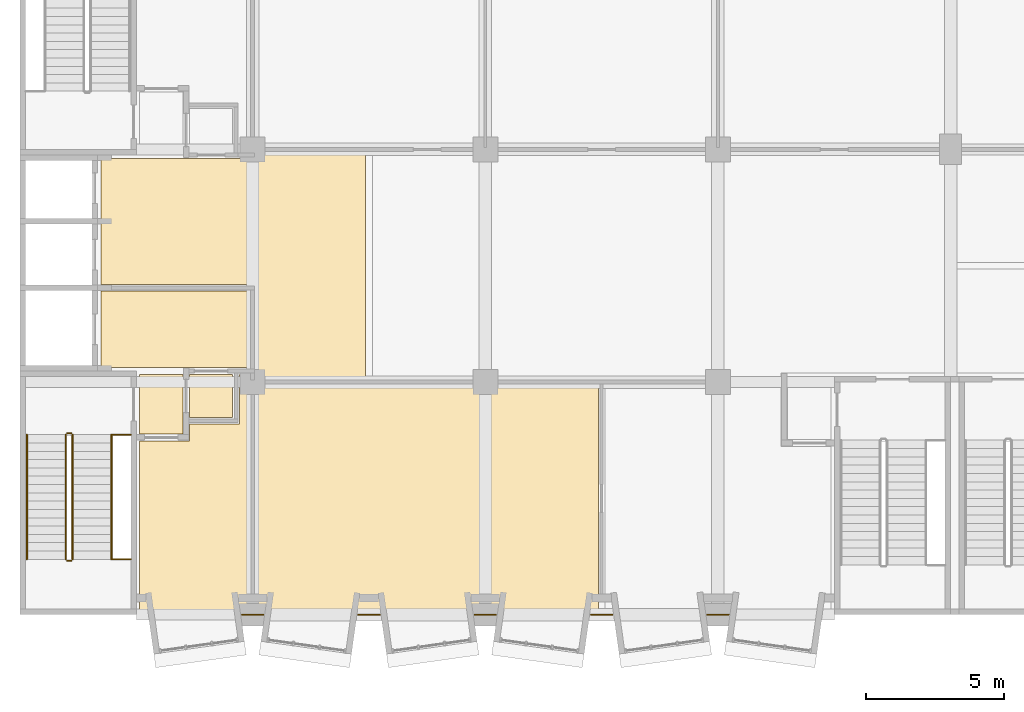
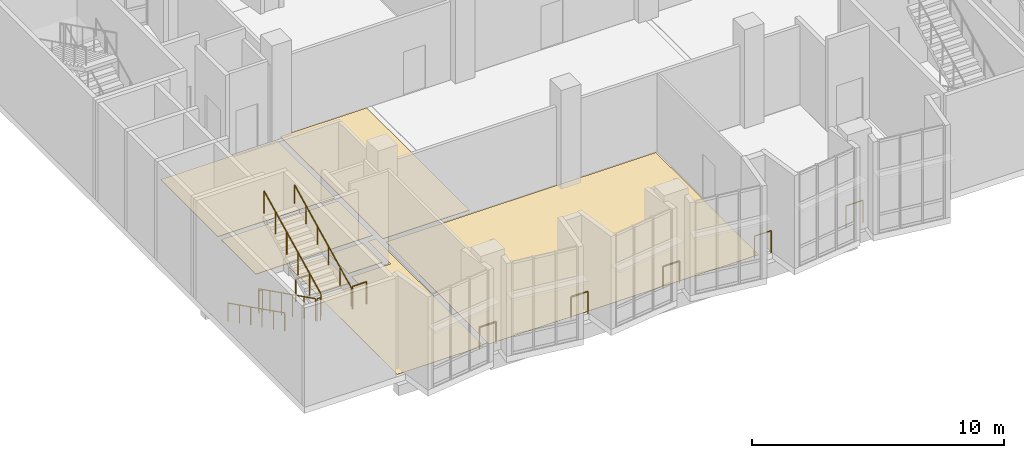
# One storey, part 66 of 91: 13 railings, 7 coverings.
"""IFC4 building model written with IfcOpenShell, lengths in metres."""

from ifc_helpers import new_model, si_unit, direction, frame, origin, origin_2d, place, context, subcontext, project, spatial, polyline, circle, outline, extrude, material, layer, layer_set, type_object, element, save


model = new_model("IFC4")

# Units and contexts
model_context = context("Model", 3, precision=1e-05, world=origin(), true_north=direction((0.0, 1.0)))
body_context = subcontext(model_context, "Body", "Model", "MODEL_VIEW")
ifc_project = project(units=[si_unit("LENGTHUNIT", "METRE"), si_unit("AREAUNIT", "SQUARE_METRE"), si_unit("VOLUMEUNIT", "CUBIC_METRE"), si_unit("PLANEANGLEUNIT", "RADIAN"), si_unit("MASSUNIT", "GRAM", prefix="KILO")], contexts=[model_context])

# Site, building, storey
site_placement = place(None, origin())
site = spatial("IfcSite", under=ifc_project, at=site_placement, CompositionType="ELEMENT")
building_placement = place(site_placement, origin())
building = spatial("IfcBuilding", under=site, at=building_placement, Name="Kiln Court Media Centre", CompositionType="ELEMENT")
storey_placement = place(building_placement, frame((0.0, 0.0, 5.39990234375)))
storey = spatial("IfcBuildingStorey", under=building, at=storey_placement, Name="L01", CompositionType="ELEMENT", Elevation=5.39990234375)

# Coverings
ifc_material_1 = material(Name="Carpet tile")
ifc_layer_1 = layer(ifc_material_1, 0.014892578125)
ifc_layer_set_1 = layer_set([ifc_layer_1], Name="Carpet tile floor finish 15")
covering_type_1 = type_object("IfcCoveringType", Name="Carpet tile floor finish 15", PredefinedType="FLOORING", material=ifc_layer_set_1)
covering_1_placement = place(storey_placement, origin())
element("IfcCovering", 1, at=covering_1_placement, inside=storey, type_object=covering_type_1, Name="Catalogue and Lending Hall floor finish", PredefinedType="FLOORING", context=body_context, shape_type="SweptSolid", body=[
    extrude(outline(polyline([(8.52001953125, 0.1201171875), (20.8798828125, 0.1201171875), (20.8798828125, 8.280029296875), (8.52001953125, 8.280029296875), (8.52001953125, 0.1201171875)])), origin(), (0.0, 0.0, 1.0), 0.01513671875),
])
ifc_material_2 = material(Name="Ceramic tile")
ifc_layer_2 = layer(ifc_material_2, 0.011962890625)
ifc_layer_set_2 = layer_set([ifc_layer_2], Name="Ceramic tile floor finish 12")
covering_type_2 = type_object("IfcCoveringType", Name="Ceramic tile floor finish 12", PredefinedType="FLOORING", material=ifc_layer_set_2)
covering_2_placement = place(storey_placement, origin())
element("IfcCovering", 2, at=covering_2_placement, inside=storey, type_object=covering_type_2, Name="Toilets and Accessible WC floor finish", PredefinedType="FLOORING", context=body_context, shape_type="SweptSolid", body=[
    extrude(outline(polyline([(8.280029296875, 8.679931640625), (7.919921875, 8.679931640625), (7.919921875, 6.8798828125), (6.1201171875, 6.8798828125), (6.1201171875, 6.280029296875), (4.320068359375, 6.280029296875), (4.320068359375, 0.1201171875), (8.280029296875, 0.1201171875), (8.280029296875, 8.679931640625)])), origin(), (0.0, 0.0, 1.0), 0.01220703125),
])
ifc_material_3 = material(Name="Terrazzo")
ifc_layer_3 = layer(ifc_material_3, 0.02490234375)
ifc_layer_set_3 = layer_set([ifc_layer_3], Name="Polished terrazzo floor finish 25")
covering_type_3 = type_object("IfcCoveringType", Name="Polished terrazzo floor finish 25", PredefinedType="FLOORING", material=ifc_layer_set_3)
covering_3_placement = place(storey_placement, origin())
element("IfcCovering", 3, at=covering_3_placement, inside=storey, type_object=covering_type_3, Name="Stair 1 Vestibule floor finish", PredefinedType="FLOORING", context=body_context, shape_type="SweptSolid", body=[
    extrude(outline(polyline([(4.320068359375, 6.52001953125), (5.8798828125, 6.52001953125), (5.8798828125, 8.679931640625), (4.320068359375, 8.679931640625), (4.320068359375, 6.52001953125)])), origin(), (0.0, 0.0, 1.0), 0.025146484375),
])
covering_4_placement = place(storey_placement, origin())
element("IfcCovering", 4, at=covering_4_placement, inside=storey, type_object=covering_type_3, Name="Wheelchair Refuge floor finish", PredefinedType="FLOORING", context=body_context, shape_type="SweptSolid", body=[
    extrude(outline(polyline([(6.1201171875, 7.1201171875), (7.679931640625, 7.1201171875), (7.679931640625, 8.679931640625), (6.1201171875, 8.679931640625), (6.1201171875, 7.1201171875)])), origin(), (0.0, 0.0, 1.0), 0.025146484375),
])
covering_5_placement = place(storey_placement, origin())
element("IfcCovering", 5, at=covering_5_placement, inside=storey, type_object=covering_type_3, Name="Issue Desk Lobby floor finish", PredefinedType="FLOORING", context=body_context, shape_type="SweptSolid", body=[
    extrude(outline(polyline([(8.52001953125, 8.52001953125), (12.47998046875, 8.52001953125), (12.47998046875, 16.679931640625), (8.52001953125, 16.679931640625), (8.52001953125, 8.52001953125)])), origin(), (0.0, 0.0, 1.0), 0.025146484375),
])
covering_6_placement = place(storey_placement, origin())
element("IfcCovering", 6, at=covering_6_placement, inside=storey, type_object=covering_type_3, Name="Fire-fighting Lift Lobby floor finish", PredefinedType="FLOORING", context=body_context, shape_type="SweptSolid", body=[
    extrude(outline(polyline([(2.919921875, 8.919921875), (8.280029296875, 8.919921875), (8.280029296875, 11.679931640625), (2.919921875, 11.679931640625), (2.919921875, 8.919921875)])), origin(), (0.0, 0.0, 1.0), 0.025146484375),
])
covering_7_placement = place(storey_placement, origin())
element("IfcCovering", 7, at=covering_7_placement, inside=storey, type_object=covering_type_3, Name="Passenger Lift Lobby floor finish", PredefinedType="FLOORING", context=body_context, shape_type="SweptSolid", body=[
    extrude(outline(polyline([(2.919921875, 11.919921875), (8.280029296875, 11.919921875), (8.280029296875, 16.47998046875), (2.919921875, 16.47998046875), (2.919921875, 11.919921875)])), origin(), (0.0, 0.0, 1.0), 0.025146484375),
])

# Railings
ifc_material_4 = material(Name="Steel S275", Category="steel")
railing_type_1 = type_object("IfcRailingType", Name="Steel S275 balustrade guard 1100", PredefinedType="GUARDRAIL", material=ifc_material_4)
for number, where, name in (
    (8, (25.582275390625, 0.0, 0.0), "L01 slab notch guard"),
    (9, (21.38232421875, 0.0, 0.0), "L01 slab notch guard"),
    (10, (17.182373046875, 0.0, 0.0), "L01 slab notch guard"),
    (11, (12.982421875, 0.0, 0.0), "L01 slab notch guard"),
    (12, (8.7822265625, 0.0, 0.0), "L01 slab notch guard"),
):
    element("IfcRailing", number, at=place(storey_placement, frame(where)), inside=storey, type_object=railing_type_1, Name=name, PredefinedType="GUARDRAIL", context=body_context, shape_type="SweptSolid", body=[
        extrude(circle(Radius=0.02392578125, at=origin_2d()), frame((0.0, 0.0, 1.076171875), z_axis=(-1.0, 0.0, 0.0), x_axis=(0.0, -1.0, 0.0)), (0.0, 0.0, 1.0), 0.7646484375),
        extrude(circle(Radius=0.02099609375, at=origin_2d()), origin(), (0.0, 0.0, 1.0), 1.052001953125),
        extrude(circle(Radius=0.02099609375, at=origin_2d()), frame((-0.7646484375, 0.0, 0.0)), (0.0, 0.0, 1.0), 1.052001953125),
    ])
ifc_material_5 = material(Name="Steel S275", Category="steel")
railing_type_2 = type_object("IfcRailingType", Name="Steel S275 stair guard 1100", PredefinedType="GUARDRAIL", material=ifc_material_5)
railing_1_placement = place(storey_placement, frame((1.64990234375, 6.5, 0.150146484375)))
element("IfcRailing", 13, at=railing_1_placement, inside=storey, type_object=railing_type_2, Name="ST-01 stair guard", PredefinedType="GUARDRAIL", context=body_context, shape_type="SweptSolid", body=[
    extrude(circle(Radius=0.02392578125, at=origin_2d()), frame((0.0, 0.0, 1.076171875), z_axis=(0.0, -0.894427191, 0.4472135955), x_axis=(1.0, 0.0, 0.0)), (0.0, 0.0, 1.0), 5.03125),
    extrude(circle(Radius=0.02099609375, at=origin_2d()), origin(), (0.0, 0.0, 1.0), 1.052001953125),
    extrude(circle(Radius=0.02099609375, at=origin_2d()), frame((0.0, -0.89990234375, 0.449951171875)), (0.0, 0.0, 1.0), 1.052001953125),
    extrude(circle(Radius=0.02099609375, at=origin_2d()), frame((0.0, -1.800048828125, 0.89990234375)), (0.0, 0.0, 1.0), 1.052001953125),
    extrude(circle(Radius=0.02099609375, at=origin_2d()), frame((0.0, -2.699951171875, 1.35009765625)), (0.0, 0.0, 1.0), 1.052001953125),
    extrude(circle(Radius=0.02099609375, at=origin_2d()), frame((0.0, -3.60009765625, 1.800048828125)), (0.0, 0.0, 1.0), 1.052001953125),
    extrude(circle(Radius=0.02099609375, at=origin_2d()), frame((0.0, -4.5, 2.25)), (0.0, 0.0, 1.0), 1.052001953125),
])
railing_2_placement = place(storey_placement, frame((1.699951171875, 1.949951171875, 2.400146484375)))
element("IfcRailing", 14, at=railing_2_placement, inside=storey, type_object=railing_type_2, Name="ST-01 stair guard", PredefinedType="GUARDRAIL", context=body_context, shape_type="SweptSolid", body=[
    extrude(circle(Radius=0.02392578125, at=origin_2d()), frame((0.0, 0.0, 1.076171875), z_axis=(1.0, 0.0, 0.0), x_axis=(0.0, 1.0, 0.0)), (0.0, 0.0, 1.0), 0.150146484375),
    extrude(circle(Radius=0.02099609375, at=origin_2d()), origin(), (0.0, 0.0, 1.0), 1.052001953125),
    extrude(circle(Radius=0.02099609375, at=origin_2d()), frame((0.150146484375, 0.0, 0.0)), (0.0, 0.0, 1.0), 1.052001953125),
])
railing_3_placement = place(storey_placement, frame((1.89990234375, 2.0, 2.550048828125)))
element("IfcRailing", 15, at=railing_3_placement, inside=storey, type_object=railing_type_2, Name="ST-01 stair guard", PredefinedType="GUARDRAIL", context=body_context, shape_type="SweptSolid", body=[
    extrude(circle(Radius=0.02392578125, at=origin_2d()), frame((0.0, 0.0, 1.076171875), z_axis=(0.0, 0.894427191, 0.4472135955), x_axis=(-1.0, 0.0, 0.0)), (0.0, 0.0, 1.0), 5.03125),
    extrude(circle(Radius=0.02099609375, at=origin_2d()), origin(), (0.0, 0.0, 1.0), 1.052001953125),
    extrude(circle(Radius=0.02099609375, at=origin_2d()), frame((0.0, 0.89990234375, 0.449951171875)), (0.0, 0.0, 1.0), 1.052001953125),
    extrude(circle(Radius=0.02099609375, at=origin_2d()), frame((0.0, 1.800048828125, 0.89990234375)), (0.0, 0.0, 1.0), 1.052001953125),
    extrude(circle(Radius=0.02099609375, at=origin_2d()), frame((0.0, 2.699951171875, 1.35009765625)), (0.0, 0.0, 1.0), 1.052001953125),
    extrude(circle(Radius=0.02099609375, at=origin_2d()), frame((0.0, 3.60009765625, 1.800048828125)), (0.0, 0.0, 1.0), 1.052001953125),
    extrude(circle(Radius=0.02099609375, at=origin_2d()), frame((0.0, 4.5, 2.25)), (0.0, 0.0, 1.0), 1.052001953125),
])
railing_4_placement = place(storey_placement, frame((1.699951171875, 6.550048828125, 0.0)))
element("IfcRailing", 16, at=railing_4_placement, inside=storey, type_object=railing_type_2, Name="ST-01 stair guard", PredefinedType="GUARDRAIL", context=body_context, shape_type="SweptSolid", body=[
    extrude(circle(Radius=0.02392578125, at=origin_2d()), frame((0.0, 0.0, 1.076171875), z_axis=(1.0, 0.0, 0.0), x_axis=(0.0, 1.0, 0.0)), (0.0, 0.0, 1.0), 0.150146484375),
    extrude(circle(Radius=0.02099609375, at=origin_2d()), origin(), (0.0, 0.0, 1.0), 1.052001953125),
    extrude(circle(Radius=0.02099609375, at=origin_2d()), frame((0.150146484375, 0.0, 0.0)), (0.0, 0.0, 1.0), 1.052001953125),
])
for number, where, name in (
    (17, (3.35009765625, 2.0, 2.400146484375), "ST-01 landing edge guard"),
    (18, (3.35009765625, 6.5, 0.0), "ST-01 landing edge guard"),
):
    element("IfcRailing", number, at=place(storey_placement, frame(where)), inside=storey, type_object=railing_type_2, Name=name, PredefinedType="GUARDRAIL", context=body_context, shape_type="SweptSolid", body=[
        extrude(circle(Radius=0.02392578125, at=origin_2d()), frame((0.0, 0.0, 1.076171875), z_axis=(1.0, 0.0, 0.0), x_axis=(0.0, 1.0, 0.0)), (0.0, 0.0, 1.0), 0.64990234375),
        extrude(circle(Radius=0.02099609375, at=origin_2d()), origin(), (0.0, 0.0, 1.0), 1.052001953125),
        extrude(circle(Radius=0.02099609375, at=origin_2d()), frame((0.64990234375, 0.0, 0.0)), (0.0, 0.0, 1.0), 1.052001953125),
    ])
ifc_material_6 = material(Name="Steel S275", Category="steel")
railing_type_3 = type_object("IfcRailingType", Name="Steel S275 stair handrail 900", PredefinedType="HANDRAIL", material=ifc_material_6)
railing_5_placement = place(storey_placement, frame((0.25, 6.5, 0.150146484375)))
element("IfcRailing", 19, at=railing_5_placement, inside=storey, type_object=railing_type_3, Name="ST-01 stair handrail", PredefinedType="HANDRAIL", context=body_context, shape_type="SweptSolid", body=[
    extrude(circle(Radius=0.02392578125, at=origin_2d()), frame((0.0, 0.0, 0.8759765625), z_axis=(0.0, -0.894427191, 0.4472135955), x_axis=(1.0, 0.0, 0.0)), (0.0, 0.0, 1.0), 5.03125),
    extrude(circle(Radius=0.02099609375, at=origin_2d()), origin(), (0.0, 0.0, 1.0), 0.851806640625),
    extrude(circle(Radius=0.02099609375, at=origin_2d()), frame((0.0, -0.89990234375, 0.449951171875)), (0.0, 0.0, 1.0), 0.851806640625),
    extrude(circle(Radius=0.02099609375, at=origin_2d()), frame((0.0, -1.800048828125, 0.89990234375)), (0.0, 0.0, 1.0), 0.851806640625),
    extrude(circle(Radius=0.02099609375, at=origin_2d()), frame((0.0, -2.699951171875, 1.35009765625)), (0.0, 0.0, 1.0), 0.851806640625),
    extrude(circle(Radius=0.02099609375, at=origin_2d()), frame((0.0, -3.60009765625, 1.800048828125)), (0.0, 0.0, 1.0), 0.851806640625),
    extrude(circle(Radius=0.02099609375, at=origin_2d()), frame((0.0, -4.5, 2.25)), (0.0, 0.0, 1.0), 0.851806640625),
])
railing_6_placement = place(storey_placement, frame((3.300048828125, 2.0, 2.550048828125)))
element("IfcRailing", 20, at=railing_6_placement, inside=storey, type_object=railing_type_3, Name="ST-01 stair handrail", PredefinedType="HANDRAIL", context=body_context, shape_type="SweptSolid", body=[
    extrude(circle(Radius=0.02392578125, at=origin_2d()), frame((0.0, 0.0, 0.8759765625), z_axis=(0.0, 0.894427191, 0.4472135955), x_axis=(-1.0, 0.0, 0.0)), (0.0, 0.0, 1.0), 5.03125),
    extrude(circle(Radius=0.02099609375, at=origin_2d()), origin(), (0.0, 0.0, 1.0), 0.851806640625),
    extrude(circle(Radius=0.02099609375, at=origin_2d()), frame((0.0, 0.89990234375, 0.449951171875)), (0.0, 0.0, 1.0), 0.851806640625),
    extrude(circle(Radius=0.02099609375, at=origin_2d()), frame((0.0, 1.800048828125, 0.89990234375)), (0.0, 0.0, 1.0), 0.851806640625),
    extrude(circle(Radius=0.02099609375, at=origin_2d()), frame((0.0, 2.699951171875, 1.35009765625)), (0.0, 0.0, 1.0), 0.851806640625),
    extrude(circle(Radius=0.02099609375, at=origin_2d()), frame((0.0, 3.60009765625, 1.800048828125)), (0.0, 0.0, 1.0), 0.851806640625),
    extrude(circle(Radius=0.02099609375, at=origin_2d()), frame((0.0, 4.5, 2.25)), (0.0, 0.0, 1.0), 0.851806640625),
])

save(model, "model.ifc")
